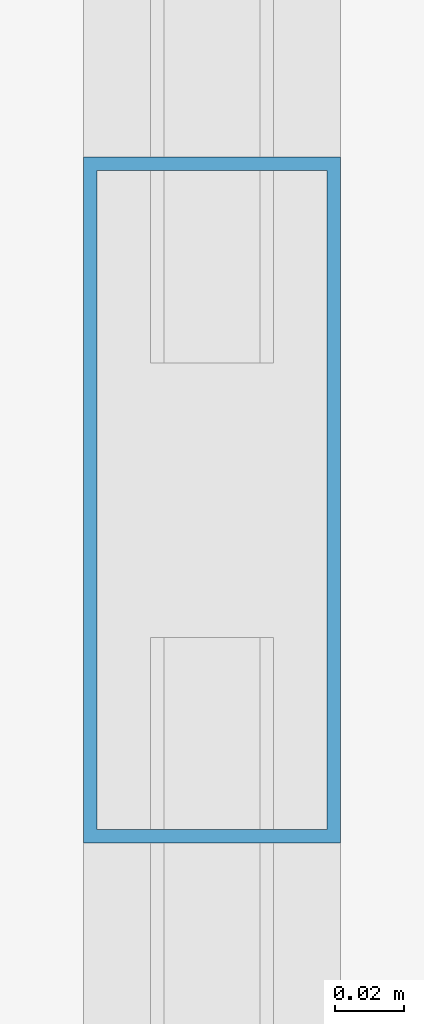
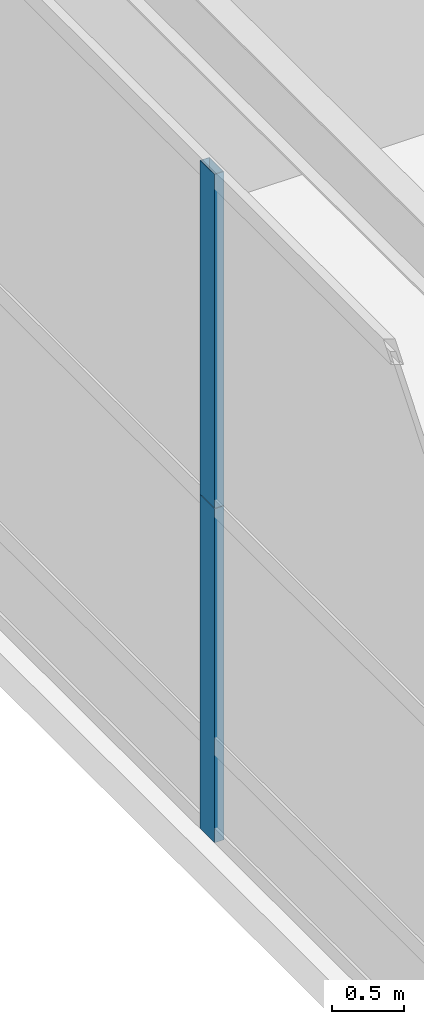
# One storey, part 9 of 39: 2 members, 1 element without a shape of its own.
"""IFC4 building model written with IfcOpenShell, lengths in metres."""

from ifc_helpers import new_model, si_unit, direction, frame, origin, origin_2d, place, context, subcontext, project, spatial, hollow_rectangle, extrude, source, transform, mapped, material, layer, layer_set, material_profile, profile_set, type_object, element, aggregate, save


model = new_model("IFC4")

# Units and contexts
model_context = context("Model", 3, precision=1e-05, world=origin(), true_north=direction((0.0, 1.0)))
body_context = subcontext(model_context, "Body", "Model", "MODEL_VIEW")
ifc_project = project(units=[si_unit("LENGTHUNIT", "METRE"), si_unit("AREAUNIT", "SQUARE_METRE"), si_unit("VOLUMEUNIT", "CUBIC_METRE"), si_unit("PLANEANGLEUNIT", "RADIAN"), si_unit("MASSUNIT", "GRAM", prefix="KILO"), si_unit("THERMODYNAMICTEMPERATUREUNIT", "KELVIN"), si_unit("POWERUNIT", "WATT")], contexts=[model_context])

# Site, building, storey
site_placement = place(None, origin())
site = spatial("IfcSite", under=ifc_project, at=site_placement, CompositionType="ELEMENT")
building_placement = place(site_placement, origin())
building = spatial("IfcBuilding", under=site, at=building_placement, Name="Yuzanri Waterfront Tower", CompositionType="ELEMENT")
storey_placement = place(building_placement, frame((0.0, 0.0, 19.800048828125)))
storey = spatial("IfcBuildingStorey", under=building, at=storey_placement, Name="L05", CompositionType="ELEMENT", Elevation=19.800048828125)

# Curtain wall, members
ifc_material_1 = material(Name="Anodized Architectural Bronze", Category="metal")
ifc_layer = layer(ifc_material_1, 0.159912109375)
ifc_layer_set = layer_set([ifc_layer], Name="Anodized Architectural Bronze")
curtain_wall_type = type_object("IfcCurtainWallType", Name="Anodized Bronze Podium Waterfront Double-Height Unitized Curtain Wall 8400", PredefinedType="NOTDEFINED", material=ifc_layer_set)
curtain_wall_placement = place(storey_placement, origin())
curtain_wall = element("IfcCurtainWall", 1, at=curtain_wall_placement, inside=storey, type_object=curtain_wall_type, Name="L05 Curtain Wall CW-L05-W", PredefinedType="NOTDEFINED")
ifc_material_2 = material(Name="Anodized Architectural Bronze", Category="metal")
ifc_material_profile = material_profile(ifc_material_2, hollow_rectangle(XDim=0.074951171875, YDim=0.199951171875, WallThickness=0.00390625, at=origin_2d()), Name="CWM 75x200")
ifc_profile_set = profile_set([ifc_material_profile], Name="Anodized Architectural Bronze")
member_type = type_object("IfcMemberType", Name="Anodized Bronze Primary Curtain-Wall Mullion 75x200", PredefinedType="MULLION", material=ifc_profile_set)
shared_shape = source(origin(), body_context, "Body", "SweptSolid", [
    extrude(hollow_rectangle(XDim=0.074951171875, YDim=0.199951171875, WallThickness=0.00390625, at=origin_2d()), origin(), (0.0, 0.0, 1.0), 2.837890625),
])
member_1_placement = place(storey_placement, frame((2.179931640625, 25.800048828125, 0.0), z_axis=(0.0, 0.0, 1.0), x_axis=(1.0, 0.0, 0.0)))
member_1 = element("IfcMember", 2, at=member_1_placement, type_object=member_type, Name="CW-L05-W Lower Mullion 01", PredefinedType="MULLION", context=body_context, shape_type="MappedRepresentation", body=[
    mapped(shared_shape, transform((0.0, 0.0, 0.0), scale=1.0)),
])
member_2_placement = place(storey_placement, frame((2.179931640625, 25.800048828125, 2.842041015625), z_axis=(0.0, 0.0, 1.0), x_axis=(1.0, 0.0, 0.0)))
member_2 = element("IfcMember", 3, at=member_2_placement, type_object=member_type, Name="CW-L05-W Upper Mullion 01", PredefinedType="MULLION", context=body_context, shape_type="MappedRepresentation", body=[
    mapped(shared_shape, transform((0.0, 0.0, 0.0), scale=1.0)),
])
aggregate(curtain_wall, [member_1, member_2])

save(model, "model.ifc")
